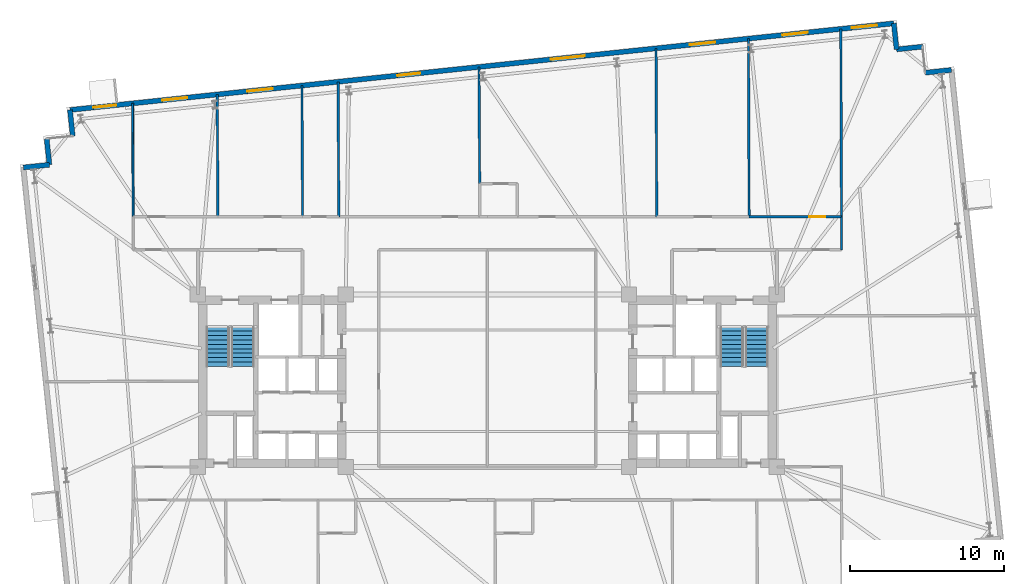
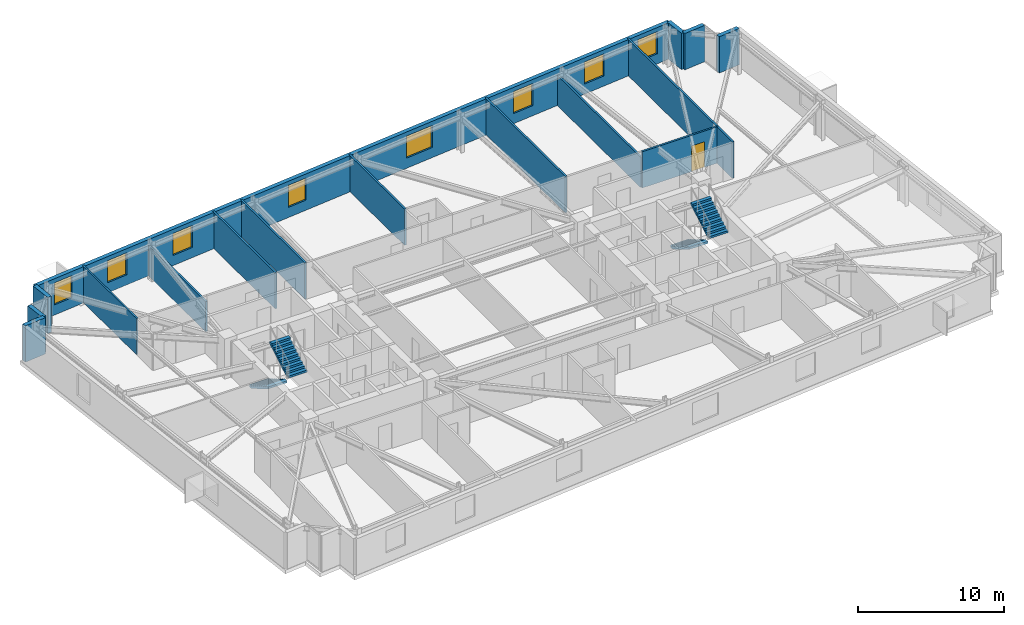
# One storey, part 15 of 18: 17 walls, 8 windows, 4 stair flights, 1 door, 9 openings, 2 elements without a shape of their own.
"""IFC4 building model written with IfcOpenShell, lengths in metres."""

from ifc_helpers import new_model, si_unit, direction, frame, frame_2d, origin, place, context, subcontext, project, spatial, polyline, rectangle, outline, extrude, material, layer, layer_set, type_object, element, fill, aggregate, save


model = new_model("IFC4")

# Units and contexts
model_context = context("Model", 3, precision=1e-05, world=origin(), true_north=direction((0.0, 1.0)))
body_context = subcontext(model_context, "Body", "Model", "MODEL_VIEW")
ifc_project = project(units=[si_unit("LENGTHUNIT", "METRE"), si_unit("AREAUNIT", "SQUARE_METRE"), si_unit("VOLUMEUNIT", "CUBIC_METRE"), si_unit("PLANEANGLEUNIT", "RADIAN"), si_unit("MASSUNIT", "GRAM", prefix="KILO")], contexts=[model_context])

# Site, building, storey
site_placement = place(None, origin())
site = spatial("IfcSite", under=ifc_project, at=site_placement, CompositionType="ELEMENT")
building_placement = place(site_placement, origin())
building = spatial("IfcBuilding", under=site, at=building_placement, Name="Qobustan Lattice House", CompositionType="ELEMENT")
storey_placement = place(building_placement, frame((0.0, 0.0, 109.14990234375)))
storey = spatial("IfcBuildingStorey", under=building, at=storey_placement, Name="L30", CompositionType="ELEMENT", Elevation=109.14990234375)

# Walls
ifc_material_1 = material(Name="Precast concrete C40/50", Category="concrete")
ifc_layer_1 = layer(ifc_material_1, 0.320068359375)
ifc_layer_set_1 = layer_set([ifc_layer_1], Name="Precast concrete C40/50")
wall_type_1 = type_object("IfcWallType", Name="WAL-EXT-STONE-320", PredefinedType="SOLIDWALL", material=ifc_layer_set_1)
for number, where, z_axis, x_axis, name in (
    (1, (-30.13330078125, 13.84912109375, 0.0), (0.0, 0.0, 1.0), (0.994534530939, 0.104408173862, 0.0), "L30 exterior limestone-clad wall 6"),
    (2, (-28.442626953125, 14.026611328125, 0.0), (0.0, 0.0, 1.0), (-0.104550220202, 0.994519608382, 0.0), "L30 exterior limestone-clad wall 7"),
    (3, (-26.9296875, 15.89501953125, 0.0), (0.0, 0.0, 1.0), (-0.104550220202, 0.994519608382, 0.0), "L30 exterior limestone-clad wall 9"),
):
    element("IfcWall", number, at=place(storey_placement, frame(where, z_axis=z_axis, x_axis=x_axis)), inside=storey, type_object=wall_type_1, Name=name, PredefinedType="SOLIDWALL", context=body_context, shape_type="SweptSolid", body=[
        extrude(rectangle(XDim=1.699951171875, YDim=0.320068359375, at=frame_2d((0.85009765625, 0.0))), origin(), (0.0, 0.0, 1.0), 3.045166015625),
    ])

# Wall, openings, windows
wall_1_placement = place(storey_placement, frame((-27.107421875, 17.585693359375, 0.0), z_axis=(0.0, 0.0, 1.0), x_axis=(0.994521628355, 0.104531003701, 0.0)))
wall_1 = element("IfcWall", 4, at=wall_1_placement, inside=storey, type_object=wall_type_1, Name="L30 exterior limestone-clad wall 10", PredefinedType="SOLIDWALL", context=body_context, shape_type="SweptSolid", body=[
    extrude(rectangle(XDim=53.800048828125, YDim=0.320068359375, at=frame_2d((26.89990234375, 0.0))), origin(), (0.0, 0.0, 1.0), 3.045166015625),
])
opening_1_placement = place(wall_1_placement, frame((1.53173828125, 0.0, 0.85009765625)))
opening_1 = element("IfcOpeningElement", 5, at=opening_1_placement, cuts=wall_1, Name="Opening WN-01", PredefinedType="OPENING", context=body_context, shape_type="SweptSolid", body=[
    extrude(rectangle(XDim=1.5, YDim=1.85009765625, at=frame_2d((0.75, 0.925048828125))), frame((0.0, 0.169921875, 0.0), z_axis=(0.0, -1.0, 0.0), x_axis=(1.0, 0.0, 0.0)), (0.0, 0.0, 1.0), 0.340087890625),
])
opening_2_placement = place(wall_1_placement, frame((6.02001953125, 0.0, 0.85009765625)))
opening_2 = element("IfcOpeningElement", 6, at=opening_2_placement, cuts=wall_1, Name="Opening WN-09", PredefinedType="OPENING", context=body_context, shape_type="SweptSolid", body=[
    extrude(rectangle(XDim=1.64990234375, YDim=1.85009765625, at=frame_2d((0.824951171875, 0.925048828125))), frame((0.0, 0.169921875, 0.0), z_axis=(0.0, -1.0, 0.0), x_axis=(1.0, 0.0, 0.0)), (0.0, 0.0, 1.0), 0.340087890625),
])
opening_3_placement = place(wall_1_placement, frame((11.584228515625, 0.0, 0.85009765625)))
opening_3 = element("IfcOpeningElement", 7, at=opening_3_placement, cuts=wall_1, Name="Opening WN-09", PredefinedType="OPENING", context=body_context, shape_type="SweptSolid", body=[
    extrude(rectangle(XDim=1.64990234375, YDim=1.85009765625, at=frame_2d((0.824951171875, 0.925048828125))), frame((0.0, 0.169921875, 0.0), z_axis=(0.0, -1.0, 0.0), x_axis=(1.0, 0.0, 0.0)), (0.0, 0.0, 1.0), 0.340087890625),
])
opening_4_placement = place(wall_1_placement, frame((21.386474609375, 0.0, 0.85009765625)))
opening_4 = element("IfcOpeningElement", 8, at=opening_4_placement, cuts=wall_1, Name="Opening WN-01", PredefinedType="OPENING", context=body_context, shape_type="SweptSolid", body=[
    extrude(rectangle(XDim=1.5, YDim=1.85009765625, at=frame_2d((0.75, 0.925048828125))), frame((0.0, 0.169921875, 0.0), z_axis=(0.0, -1.0, 0.0), x_axis=(1.0, 0.0, 0.0)), (0.0, 0.0, 1.0), 0.340087890625),
])
opening_5_placement = place(wall_1_placement, frame((31.404296875, 0.0, 0.85009765625)))
opening_5 = element("IfcOpeningElement", 9, at=opening_5_placement, cuts=wall_1, Name="Opening WN-03", PredefinedType="OPENING", context=body_context, shape_type="SweptSolid", body=[
    extrude(rectangle(XDim=2.199951171875, YDim=1.85009765625, at=frame_2d((1.10009765625, 0.925048828125))), frame((0.0, 0.169921875, 0.0), z_axis=(0.0, -1.0, 0.0), x_axis=(1.0, 0.0, 0.0)), (0.0, 0.0, 1.0), 0.340087890625),
])
opening_6_placement = place(wall_1_placement, frame((40.485595703125, 0.0, 0.85009765625)))
opening_6 = element("IfcOpeningElement", 10, at=opening_6_placement, cuts=wall_1, Name="Opening WN-09", PredefinedType="OPENING", context=body_context, shape_type="SweptSolid", body=[
    extrude(rectangle(XDim=1.64990234375, YDim=1.85009765625, at=frame_2d((0.824951171875, 0.925048828125))), frame((0.0, 0.169921875, 0.0), z_axis=(0.0, -1.0, 0.0), x_axis=(1.0, 0.0, 0.0)), (0.0, 0.0, 1.0), 0.340087890625),
])
opening_7_placement = place(wall_1_placement, frame((46.5302734375, 0.0, 0.85009765625)))
opening_7 = element("IfcOpeningElement", 11, at=opening_7_placement, cuts=wall_1, Name="Opening WN-09", PredefinedType="OPENING", context=body_context, shape_type="SweptSolid", body=[
    extrude(rectangle(XDim=1.64990234375, YDim=1.85009765625, at=frame_2d((0.824951171875, 0.925048828125))), frame((0.0, 0.169921875, 0.0), z_axis=(0.0, -1.0, 0.0), x_axis=(1.0, 0.0, 0.0)), (0.0, 0.0, 1.0), 0.340087890625),
])
opening_8_placement = place(wall_1_placement, frame((51.0537109375, 0.0, 0.85009765625)))
opening_8 = element("IfcOpeningElement", 12, at=opening_8_placement, cuts=wall_1, Name="Opening WN-09", PredefinedType="OPENING", context=body_context, shape_type="SweptSolid", body=[
    extrude(rectangle(XDim=1.64990234375, YDim=1.85009765625, at=frame_2d((0.824951171875, 0.925048828125))), frame((0.0, 0.169921875, 0.0), z_axis=(0.0, -1.0, 0.0), x_axis=(1.0, 0.0, 0.0)), (0.0, 0.0, 1.0), 0.340087890625),
])
ifc_material_2 = material(Name="Double-glazed low-E aluminium window", Category="aluminium")
window_type_1 = type_object("IfcWindowType", Name="WIN-BED-1500x1850", PartitioningType="SINGLE_PANEL", PredefinedType="WINDOW", material=ifc_material_2)
window_1_placement = place(opening_1_placement, origin())
window_1 = element("IfcWindow", 13, at=window_1_placement, inside=storey, type_object=window_type_1, Name="L30 Music and podcast studio window", OverallHeight=1.85009765625, OverallWidth=1.5, PartitioningType="SINGLE_PANEL", PredefinedType="WINDOW", context=body_context, shape_type="SweptSolid", body=[
    extrude(rectangle(XDim=1.5, YDim=1.85009765625, at=frame_2d((0.75, 0.925048828125))), frame((0.0, 0.030029296875, 0.0), z_axis=(0.0, -1.0, 0.0), x_axis=(1.0, 0.0, 0.0)), (0.0, 0.0, 1.0), 0.06005859375),
])
fill(opening_1, window_1)
window_2_placement = place(opening_4_placement, origin())
window_2 = element("IfcWindow", 14, at=window_2_placement, inside=storey, type_object=window_type_1, Name="L30 Laundry utility room window", OverallHeight=1.85009765625, OverallWidth=1.5, PartitioningType="SINGLE_PANEL", PredefinedType="WINDOW", context=body_context, shape_type="SweptSolid", body=[
    extrude(rectangle(XDim=1.5, YDim=1.85009765625, at=frame_2d((0.75, 0.925048828125))), frame((0.0, 0.030029296875, 0.0), z_axis=(0.0, -1.0, 0.0), x_axis=(1.0, 0.0, 0.0)), (0.0, 0.0, 1.0), 0.06005859375),
])
fill(opening_4, window_2)
ifc_material_3 = material(Name="Double-glazed low-E aluminium window", Category="aluminium")
window_type_2 = type_object("IfcWindowType", Name="WIN-STU-1650x1850", PartitioningType="SINGLE_PANEL", PredefinedType="WINDOW", material=ifc_material_3)
window_3_placement = place(opening_2_placement, origin())
window_3 = element("IfcWindow", 15, at=window_3_placement, inside=storey, type_object=window_type_2, Name="L30 Focus study room N1A window", OverallHeight=1.85009765625, OverallWidth=1.64990234375, PartitioningType="SINGLE_PANEL", PredefinedType="WINDOW", context=body_context, shape_type="SweptSolid", body=[
    extrude(rectangle(XDim=1.64990234375, YDim=1.85009765625, at=frame_2d((0.824951171875, 0.925048828125))), frame((0.0, 0.030029296875, 0.0), z_axis=(0.0, -1.0, 0.0), x_axis=(1.0, 0.0, 0.0)), (0.0, 0.0, 1.0), 0.06005859375),
])
fill(opening_2, window_3)
window_4_placement = place(opening_3_placement, origin())
window_4 = element("IfcWindow", 16, at=window_4_placement, inside=storey, type_object=window_type_2, Name="L30 Focus study room N1B window", OverallHeight=1.85009765625, OverallWidth=1.64990234375, PartitioningType="SINGLE_PANEL", PredefinedType="WINDOW", context=body_context, shape_type="SweptSolid", body=[
    extrude(rectangle(XDim=1.64990234375, YDim=1.85009765625, at=frame_2d((0.824951171875, 0.925048828125))), frame((0.0, 0.030029296875, 0.0), z_axis=(0.0, -1.0, 0.0), x_axis=(1.0, 0.0, 0.0)), (0.0, 0.0, 1.0), 0.06005859375),
])
fill(opening_3, window_4)
window_5_placement = place(opening_6_placement, origin())
window_5 = element("IfcWindow", 17, at=window_5_placement, inside=storey, type_object=window_type_2, Name="L30 Focus study room N4A window", OverallHeight=1.85009765625, OverallWidth=1.64990234375, PartitioningType="SINGLE_PANEL", PredefinedType="WINDOW", context=body_context, shape_type="SweptSolid", body=[
    extrude(rectangle(XDim=1.64990234375, YDim=1.85009765625, at=frame_2d((0.824951171875, 0.925048828125))), frame((0.0, 0.030029296875, 0.0), z_axis=(0.0, -1.0, 0.0), x_axis=(1.0, 0.0, 0.0)), (0.0, 0.0, 1.0), 0.06005859375),
])
fill(opening_6, window_5)
window_6_placement = place(opening_7_placement, origin())
window_6 = element("IfcWindow", 18, at=window_6_placement, inside=storey, type_object=window_type_2, Name="L30 Focus study room N4B window", OverallHeight=1.85009765625, OverallWidth=1.64990234375, PartitioningType="SINGLE_PANEL", PredefinedType="WINDOW", context=body_context, shape_type="SweptSolid", body=[
    extrude(rectangle(XDim=1.64990234375, YDim=1.85009765625, at=frame_2d((0.824951171875, 0.925048828125))), frame((0.0, 0.030029296875, 0.0), z_axis=(0.0, -1.0, 0.0), x_axis=(1.0, 0.0, 0.0)), (0.0, 0.0, 1.0), 0.06005859375),
])
fill(opening_7, window_6)
window_7_placement = place(opening_8_placement, origin())
window_7 = element("IfcWindow", 19, at=window_7_placement, inside=storey, type_object=window_type_2, Name="L30 Collaborative tutorial room window", OverallHeight=1.85009765625, OverallWidth=1.64990234375, PartitioningType="SINGLE_PANEL", PredefinedType="WINDOW", context=body_context, shape_type="SweptSolid", body=[
    extrude(rectangle(XDim=1.64990234375, YDim=1.85009765625, at=frame_2d((0.824951171875, 0.925048828125))), frame((0.0, 0.030029296875, 0.0), z_axis=(0.0, -1.0, 0.0), x_axis=(1.0, 0.0, 0.0)), (0.0, 0.0, 1.0), 0.06005859375),
])
fill(opening_8, window_7)
ifc_material_4 = material(Name="Double-glazed low-E aluminium window", Category="aluminium")
window_type_3 = type_object("IfcWindowType", Name="WIN-WIDE-2200x1850", PartitioningType="SINGLE_PANEL", PredefinedType="WINDOW", material=ifc_material_4)
window_8_placement = place(opening_5_placement, origin())
window_8 = element("IfcWindow", 20, at=window_8_placement, inside=storey, type_object=window_type_3, Name="L30 Kitchenette and studio apartment L30-N3 window", OverallHeight=1.85009765625, OverallWidth=2.199951171875, PartitioningType="SINGLE_PANEL", PredefinedType="WINDOW", context=body_context, shape_type="SweptSolid", body=[
    extrude(rectangle(XDim=2.199951171875, YDim=1.85009765625, at=frame_2d((1.10009765625, 0.925048828125))), frame((0.0, 0.030029296875, 0.0), z_axis=(0.0, -1.0, 0.0), x_axis=(1.0, 0.0, 0.0)), (0.0, 0.0, 1.0), 0.06005859375),
])
fill(opening_5, window_8)

# Walls
for number, where, z_axis, x_axis, name in (
    (21, (26.39794921875, 23.20947265625, 0.0), (0.0, 0.0, 1.0), (0.104550220202, -0.994519608382, 0.0), "L30 exterior limestone-clad wall 11"),
    (22, (26.57568359375, 21.518798828125, 0.0), (0.0, 0.0, 1.0), (0.994534530939, 0.104408173862, 0.0), "L30 exterior limestone-clad wall 12"),
    (23, (28.444091796875, 20.005615234375, 0.0), (0.0, 0.0, 1.0), (0.994519608382, 0.104550220202, 0.0), "L30 exterior limestone-clad wall 14"),
):
    element("IfcWall", number, at=place(storey_placement, frame(where, z_axis=z_axis, x_axis=x_axis)), inside=storey, type_object=wall_type_1, Name=name, PredefinedType="SOLIDWALL", context=body_context, shape_type="SweptSolid", body=[
        extrude(rectangle(XDim=1.699951171875, YDim=0.320068359375, at=frame_2d((0.85009765625, 0.0))), origin(), (0.0, 0.0, 1.0), 3.045166015625),
    ])
ifc_material_5 = material(Name="Lightweight acoustic stud partition", Category="gypsum")
ifc_layer_2 = layer(ifc_material_5, 0.125)
ifc_layer_set_2 = layer_set([ifc_layer_2], Name="Lightweight acoustic stud partition")
wall_type_2 = type_object("IfcWallType", Name="WAL-PART-125", PredefinedType="PARTITIONING", material=ifc_layer_set_2)
wall_2_placement = place(storey_placement, frame((-23.0439453125, 18.0126953125, 0.0), z_axis=(0.0, 0.0, 1.0), x_axis=(0.005968459246, -0.999982188588, 0.0)))
element("IfcWall", 24, at=wall_2_placement, inside=storey, type_object=wall_type_2, Name="L30 interior partition 72", PredefinedType="PARTITIONING", context=body_context, shape_type="SweptSolid", body=[
    extrude(rectangle(XDim=7.363037109375, YDim=0.125, at=frame_2d((3.681640625, 0.0))), origin(), (0.0, 0.0, 1.0), 3.045166015625),
])
ifc_material_6 = material(Name="Acoustic twin-stud gypsum partition", Category="gypsum")
ifc_layer_3 = layer(ifc_material_6, 0.14990234375)
ifc_layer_set_3 = layer_set([ifc_layer_3], Name="Acoustic twin-stud gypsum partition")
wall_type_3 = type_object("IfcWallType", Name="WAL-PART-150", PredefinedType="PARTITIONING", material=ifc_layer_set_3)
wall_3_placement = place(storey_placement, frame((23.0, 10.64990234375, 0.0), z_axis=(0.0, 0.0, 1.0), x_axis=(0.0, -1.0, 0.0)))
element("IfcWall", 25, at=wall_3_placement, inside=storey, type_object=wall_type_3, Name="L30 interior partition 47", PredefinedType="PARTITIONING", context=body_context, shape_type="SweptSolid", body=[
    extrude(rectangle(XDim=2.14990234375, YDim=0.14990234375, at=frame_2d((1.074951171875, 0.0))), origin(), (0.0, 0.0, 1.0), 3.045166015625),
])

# Wall, opening, door
wall_4_placement = place(storey_placement, frame((17.0, 10.64990234375, 0.0), z_axis=(0.0, 0.0, 1.0), x_axis=(1.0, 0.0, 0.0)))
wall_4 = element("IfcWall", 26, at=wall_4_placement, inside=storey, type_object=wall_type_3, Name="L30 interior partition 51", PredefinedType="PARTITIONING", context=body_context, shape_type="SweptSolid", body=[
    extrude(rectangle(XDim=6.0, YDim=0.14990234375, at=frame_2d((3.0, 0.0))), origin(), (0.0, 0.0, 1.0), 3.045166015625),
])
opening_9_placement = place(wall_4_placement, frame((3.896240234375, 0.0, 0.0)))
opening_9 = element("IfcOpeningElement", 27, at=opening_9_placement, cuts=wall_4, Name="Opening ID-02", PredefinedType="OPENING", context=body_context, shape_type="SweptSolid", body=[
    extrude(rectangle(XDim=1.050048828125, YDim=2.14990234375, at=frame_2d((0.52490234375, 1.074951171875))), frame((0.0, 0.0849609375, 0.0), z_axis=(0.0, -1.0, 0.0), x_axis=(1.0, 0.0, 0.0)), (0.0, 0.0, 1.0), 0.169921875),
])
ifc_material_7 = material(Name="Persian walnut timber and steel frame door", Category="steel")
door_type = type_object("IfcDoorType", Name="DOR-STUDY-1050x2150", OperationType="NOTDEFINED", PredefinedType="DOOR", material=ifc_material_7)
door_placement = place(opening_9_placement, origin())
door = element("IfcDoor", 28, at=door_placement, inside=storey, type_object=door_type, Name="L30 North-east floor corridor to Focus study room N4B door", OperationType="SINGLE_SWING_RIGHT", OverallHeight=2.14990234375, OverallWidth=1.050048828125, PredefinedType="DOOR", context=body_context, shape_type="SweptSolid", body=[
    extrude(rectangle(XDim=1.050048828125, YDim=2.14990234375, at=frame_2d((0.52490234375, 1.074951171875))), frame((0.0, 0.02490234375, 0.0), z_axis=(0.0, -1.0, 0.0), x_axis=(1.0, 0.0, 0.0)), (0.0, 0.0, 1.0), 0.050048828125),
])
fill(opening_9, door)

# Walls
wall_5_placement = place(storey_placement, frame((23.0, 10.64990234375, 0.0), z_axis=(0.0, 0.0, 1.0), x_axis=(-0.0036027147, 0.999993510202, 0.0)))
element("IfcWall", 29, at=wall_5_placement, inside=storey, type_object=wall_type_3, Name="L30 interior partition 75", PredefinedType="PARTITIONING", context=body_context, shape_type="SweptSolid", body=[
    extrude(rectangle(XDim=12.19775390625, YDim=0.14990234375, at=frame_2d((6.098876953125, 0.0))), origin(), (0.0, 0.0, 1.0), 3.045166015625),
])
wall_6_placement = place(storey_placement, frame((-17.5439453125, 18.5908203125, 0.0), z_axis=(0.0, 0.0, 1.0), x_axis=(0.005533949572, -0.999984687584, 0.0)))
element("IfcWall", 30, at=wall_6_placement, inside=storey, type_object=wall_type_3, Name="L30 interior partition 76", PredefinedType="PARTITIONING", context=body_context, shape_type="SweptSolid", body=[
    extrude(rectangle(XDim=7.94091796875, YDim=0.14990234375, at=frame_2d((3.970458984375, 0.0))), origin(), (0.0, 0.0, 1.0), 2.530029296875),
])
wall_7_placement = place(storey_placement, frame((-0.5439453125, 20.377685546875, 0.0), z_axis=(0.0, 0.0, 1.0), x_axis=(0.005799245221, -0.999983184236, 0.0)))
element("IfcWall", 31, at=wall_7_placement, inside=storey, type_object=wall_type_3, Name="L30 interior partition 79", PredefinedType="PARTITIONING", context=body_context, shape_type="SweptSolid", body=[
    extrude(rectangle(XDim=7.577880859375, YDim=0.14990234375, at=frame_2d((3.7890625, 0.0))), origin(), (0.0, 0.0, 1.0), 3.045166015625),
])
wall_8_placement = place(storey_placement, frame((10.9560546875, 21.58642578125, 0.0), z_axis=(0.0, 0.0, 1.0), x_axis=(0.004018183473, -0.999991927068, 0.0)))
element("IfcWall", 32, at=wall_8_placement, inside=storey, type_object=wall_type_3, Name="L30 interior partition 83", PredefinedType="PARTITIONING", context=body_context, shape_type="SweptSolid", body=[
    extrude(rectangle(XDim=10.9365234375, YDim=0.14990234375, at=frame_2d((5.46826171875, 0.0))), origin(), (0.0, 0.0, 1.0), 3.045166015625),
])
wall_9_placement = place(storey_placement, frame((16.9560546875, 22.217041015625, 0.0), z_axis=(0.0, 0.0, 1.0), x_axis=(0.003799124105, -0.999992783302, 0.0)))
element("IfcWall", 33, at=wall_9_placement, inside=storey, type_object=wall_type_3, Name="L30 interior partition 84", PredefinedType="PARTITIONING", context=body_context, shape_type="SweptSolid", body=[
    extrude(rectangle(XDim=11.567138671875, YDim=0.14990234375, at=frame_2d((5.78369140625, 0.0))), origin(), (0.0, 0.0, 1.0), 2.530029296875),
])
ifc_material_8 = material(Name="Moisture-resistant acoustic plumbing wall", Category="gypsum")
ifc_layer_4 = layer(ifc_material_8, 0.14990234375)
ifc_layer_set_4 = layer_set([ifc_layer_4], Name="Moisture-resistant acoustic plumbing wall")
wall_type_4 = type_object("IfcWallType", Name="WAL-WET-150", PredefinedType="PLUMBINGWALL", material=ifc_layer_set_4)
wall_10_placement = place(storey_placement, frame((-12.0439453125, 19.1689453125, 0.0), z_axis=(0.0, 0.0, 1.0), x_axis=(0.005158411336, -0.999986695308, 0.0)))
element("IfcWall", 34, at=wall_10_placement, inside=storey, type_object=wall_type_4, Name="L30 interior partition 77", PredefinedType="PLUMBINGWALL", context=body_context, shape_type="SweptSolid", body=[
    extrude(rectangle(XDim=8.51904296875, YDim=0.14990234375, at=frame_2d((4.259521484375, 0.0))), origin(), (0.0, 0.0, 1.0), 3.045166015625),
])
wall_11_placement = place(storey_placement, frame((-9.69384765625, 19.416015625, 0.0), z_axis=(0.0, 0.0, 1.0), x_axis=(0.005013026743, -0.999987434702, 0.0)))
element("IfcWall", 35, at=wall_11_placement, inside=storey, type_object=wall_type_4, Name="L30 interior partition 78", PredefinedType="PLUMBINGWALL", context=body_context, shape_type="SweptSolid", body=[
    extrude(rectangle(XDim=8.76611328125, YDim=0.14990234375, at=frame_2d((4.383056640625, 0.0))), origin(), (0.0, 0.0, 1.0), 3.045166015625),
])

# Stair, stair flights
ifc_material_9 = material(Name="Concrete C40/50", Category="concrete")
stair_type = type_object("IfcStairType", Name="STR-CORE-DOGLEG", PredefinedType="HALF_TURN_STAIR", material=ifc_material_9)
stair_1_placement = place(storey_placement, origin())
stair_1 = element("IfcStair", 36, at=stair_1_placement, inside=storey, type_object=stair_type, Name="L30 West protected exit stair ST-W1", PredefinedType="HALF_TURN_STAIR")
ifc_material_10 = material(Name="Concrete C40/50", Category="concrete")
stair_flight_type = type_object("IfcStairFlightType", Name="SFL-RC-1500", PredefinedType="STRAIGHT", material=ifc_material_10)
stair_flight_1_placement = place(storey_placement, frame((-17.5, 3.5, 0.0), z_axis=(0.0, 0.0, 1.0), x_axis=(0.0, -1.0, 0.0)))
stair_flight_1 = element("IfcStairFlight", 37, at=stair_flight_1_placement, type_object=stair_flight_type, Name="ST-W1 flight 1", NumberOfRisers=10, NumberOfTreads=9, PredefinedType="STRAIGHT", RiserHeight=0.1675, TreadLength=0.285, context=body_context, shape_type="SweptSolid", body=[
    extrude(outline(polyline([(0.0, 0.0), (0.0, 0.16748046875), (0.284912109375, 0.16748046875), (0.284912109375, 0.3349609375), (0.570068359375, 0.3349609375), (0.570068359375, 0.50244140625), (0.85498046875, 0.50244140625), (0.85498046875, 0.669921875), (1.139892578125, 0.669921875), (1.139892578125, 0.83740234375), (1.425048828125, 0.83740234375), (1.425048828125, 1.0048828125), (1.7099609375, 1.0048828125), (1.7099609375, 1.172607421875), (1.9951171875, 1.172607421875), (1.9951171875, 1.340087890625), (2.280029296875, 1.340087890625), (2.280029296875, 1.507568359375), (2.56494140625, 1.507568359375), (2.56494140625, 1.675048828125), (2.56494140625, 1.333740234375), (0.2958984375, 0.0), (0.0, 0.0)])), frame((0.0, 0.75, 0.0), z_axis=(0.0, -1.0, 0.0), x_axis=(1.0, 0.0, 0.0)), (0.0, 0.0, 1.0), 1.5),
])
stair_flight_2_placement = place(storey_placement, frame((-15.8798828125, 0.93505859375, 1.675048828125), z_axis=(0.0, 0.0, 1.0), x_axis=(0.0, 1.0, 0.0)))
stair_flight_2 = element("IfcStairFlight", 38, at=stair_flight_2_placement, type_object=stair_flight_type, Name="ST-W1 flight 2", NumberOfRisers=10, NumberOfTreads=9, PredefinedType="STRAIGHT", RiserHeight=0.1675, TreadLength=0.285, context=body_context, shape_type="SweptSolid", body=[
    extrude(outline(polyline([(0.0, 0.0), (0.0, 0.16748046875), (0.284912109375, 0.16748046875), (0.284912109375, 0.3349609375), (0.570068359375, 0.3349609375), (0.570068359375, 0.50244140625), (0.85498046875, 0.50244140625), (0.85498046875, 0.669921875), (1.139892578125, 0.669921875), (1.139892578125, 0.83740234375), (1.425048828125, 0.83740234375), (1.425048828125, 1.0048828125), (1.7099609375, 1.0048828125), (1.7099609375, 1.172607421875), (1.9951171875, 1.172607421875), (1.9951171875, 1.340087890625), (2.280029296875, 1.340087890625), (2.280029296875, 1.507568359375), (2.56494140625, 1.507568359375), (2.56494140625, 1.675048828125), (2.56494140625, 1.333740234375), (0.2958984375, 0.0), (0.0, 0.0)])), frame((0.0, 0.75, 0.0), z_axis=(0.0, -1.0, 0.0), x_axis=(1.0, 0.0, 0.0)), (0.0, 0.0, 1.0), 1.5),
])
aggregate(stair_1, [stair_flight_1, stair_flight_2])

stair_2_placement = place(storey_placement, origin())
stair_2 = element("IfcStair", 39, at=stair_2_placement, inside=storey, type_object=stair_type, Name="L30 East protected exit stair ST-E1", PredefinedType="HALF_TURN_STAIR")
stair_flight_3_placement = place(storey_placement, frame((15.8798828125, 3.5, 0.0), z_axis=(0.0, 0.0, 1.0), x_axis=(0.0, -1.0, 0.0)))
stair_flight_3 = element("IfcStairFlight", 40, at=stair_flight_3_placement, type_object=stair_flight_type, Name="ST-E1 flight 1", NumberOfRisers=10, NumberOfTreads=9, PredefinedType="STRAIGHT", RiserHeight=0.1675, TreadLength=0.285, context=body_context, shape_type="SweptSolid", body=[
    extrude(outline(polyline([(0.0, 0.0), (0.0, 0.16748046875), (0.284912109375, 0.16748046875), (0.284912109375, 0.3349609375), (0.570068359375, 0.3349609375), (0.570068359375, 0.50244140625), (0.85498046875, 0.50244140625), (0.85498046875, 0.669921875), (1.139892578125, 0.669921875), (1.139892578125, 0.83740234375), (1.425048828125, 0.83740234375), (1.425048828125, 1.0048828125), (1.7099609375, 1.0048828125), (1.7099609375, 1.172607421875), (1.9951171875, 1.172607421875), (1.9951171875, 1.340087890625), (2.280029296875, 1.340087890625), (2.280029296875, 1.507568359375), (2.56494140625, 1.507568359375), (2.56494140625, 1.675048828125), (2.56494140625, 1.333740234375), (0.2958984375, 0.0), (0.0, 0.0)])), frame((0.0, 0.75, 0.0), z_axis=(0.0, -1.0, 0.0), x_axis=(1.0, 0.0, 0.0)), (0.0, 0.0, 1.0), 1.5),
])
stair_flight_4_placement = place(storey_placement, frame((17.5, 0.93505859375, 1.675048828125), z_axis=(0.0, 0.0, 1.0), x_axis=(0.0, 1.0, 0.0)))
stair_flight_4 = element("IfcStairFlight", 41, at=stair_flight_4_placement, type_object=stair_flight_type, Name="ST-E1 flight 2", NumberOfRisers=10, NumberOfTreads=9, PredefinedType="STRAIGHT", RiserHeight=0.1675, TreadLength=0.285, context=body_context, shape_type="SweptSolid", body=[
    extrude(outline(polyline([(0.0, 0.0), (0.0, 0.16748046875), (0.284912109375, 0.16748046875), (0.284912109375, 0.3349609375), (0.570068359375, 0.3349609375), (0.570068359375, 0.50244140625), (0.85498046875, 0.50244140625), (0.85498046875, 0.669921875), (1.139892578125, 0.669921875), (1.139892578125, 0.83740234375), (1.425048828125, 0.83740234375), (1.425048828125, 1.0048828125), (1.7099609375, 1.0048828125), (1.7099609375, 1.172607421875), (1.9951171875, 1.172607421875), (1.9951171875, 1.340087890625), (2.280029296875, 1.340087890625), (2.280029296875, 1.507568359375), (2.56494140625, 1.507568359375), (2.56494140625, 1.675048828125), (2.56494140625, 1.333740234375), (0.2958984375, 0.0), (0.0, 0.0)])), frame((0.0, 0.75, 0.0), z_axis=(0.0, -1.0, 0.0), x_axis=(1.0, 0.0, 0.0)), (0.0, 0.0, 1.0), 1.5),
])
aggregate(stair_2, [stair_flight_3, stair_flight_4])

save(model, "model.ifc")
